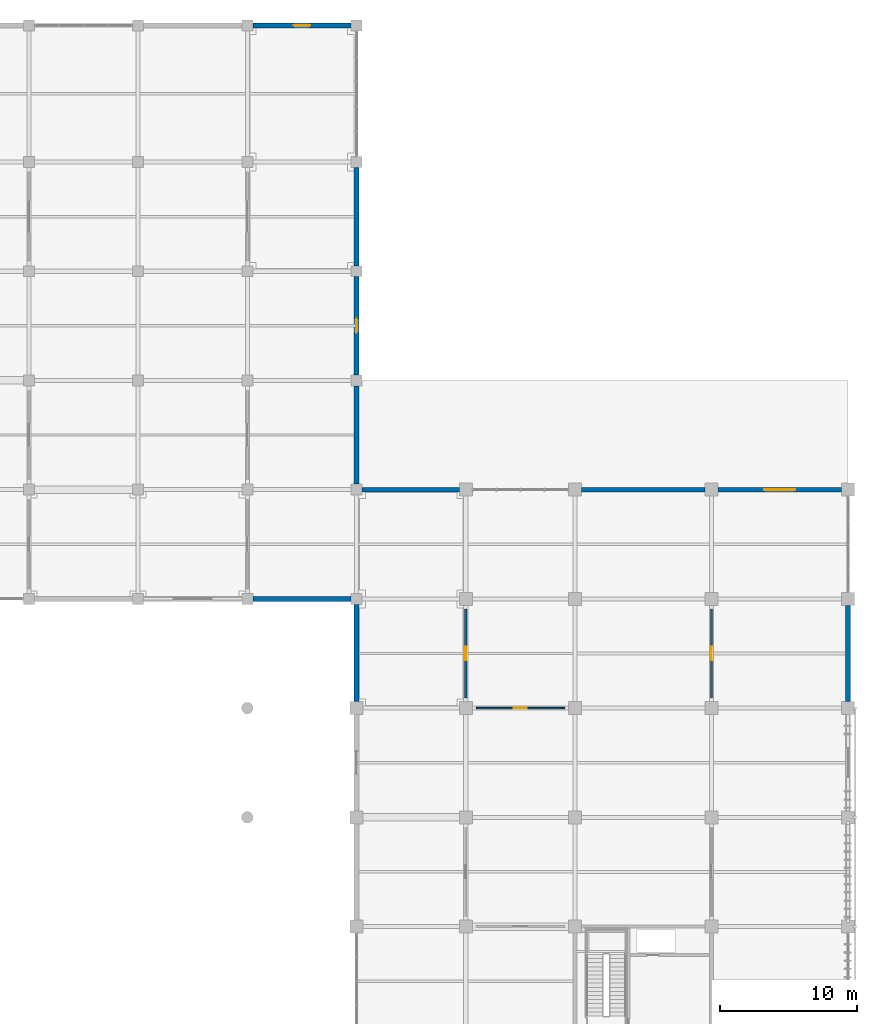
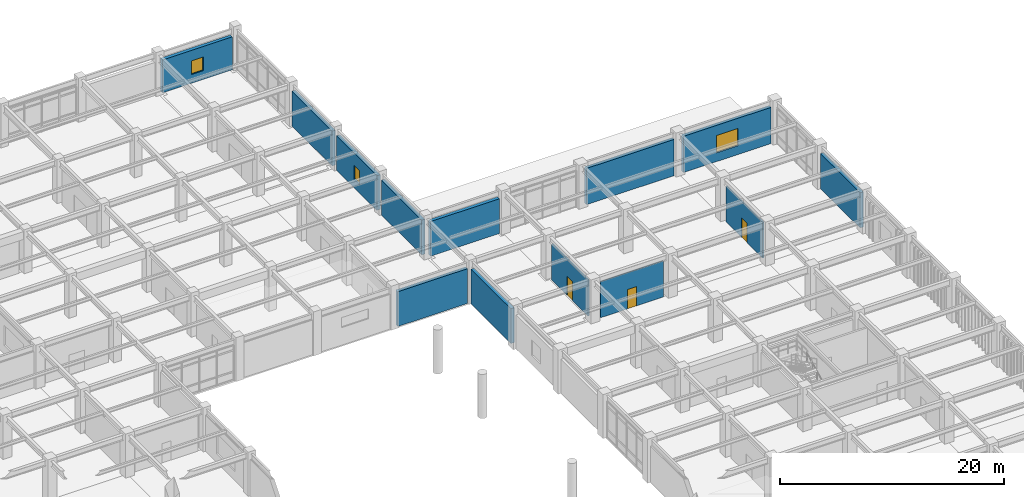
# One storey, part 82 of 109: 13 walls, 3 doors, 3 windows, 6 openings.
"""IFC4 building model written with IfcOpenShell, lengths in metres."""

import ifcopenshell
import ifcopenshell.guid

model = None  # the IFC model being written
_history = None  # IfcOwnerHistory: only IFC2X3 demands one
_inside = {}  # id of a spatial element -> (the spatial element, [elements in it])
_under = {}  # id of a project, library or spatial element -> (it, [spatial elements below it])
_declared = {}  # id of a project -> (the project, [libraries it declares])
_typed = {}  # id of a type object -> (the type object, [elements of that type])
_made_of = {}  # id of a material, layer set ... -> (it, [elements and type objects made of it])


def new_model(schema):
    """Start an empty IFC model of exactly this schema.

    Asked for "IFC4X3", IfcOpenShell would pick the latest addendum, in which some entities
    have other attributes; the version numbers below select the first issue.
    IFC2X3 requires an IfcOwnerHistory on every rooted entity: one is made here for all.
    """
    global model, _history
    if schema == "IFC4X3":
        model = ifcopenshell.file(schema_version=(4, 3, 0, 0))
    else:
        model = ifcopenshell.file(schema=schema)
    _inside.clear()
    _under.clear()
    _declared.clear()
    _typed.clear()
    _made_of.clear()
    _history = None
    if model.schema == "IFC2X3":
        org = make("IfcOrganization", Name="unknown")
        user = make(
            "IfcPersonAndOrganization",
            ThePerson=make("IfcPerson", FamilyName="unknown"),
            TheOrganization=org,
        )
        app = make(
            "IfcApplication",
            ApplicationDeveloper=org,
            Version="unknown",
            ApplicationFullName="unknown",
            ApplicationIdentifier="unknown",
        )
        _history = make(
            "IfcOwnerHistory",
            OwningUser=user,
            OwningApplication=app,
            ChangeAction="ADDED",
            CreationDate=0,
        )
    return model


def make(cls, **values):
    """One entity of the class cls with the attributes given. An attribute that is None is left unset."""
    return model.create_entity(
        cls, **{name: value for name, value in values.items() if value is not None}
    )


def rooted(cls, **values):
    """An entity with a GlobalId (a new one), such as an element, a storey or a relation."""
    return make(cls, GlobalId=ifcopenshell.guid.new(), OwnerHistory=_history, **values)


def si_unit(unit_type, name, prefix=None):
    """IfcSIUnit, for example si_unit("LENGTHUNIT", "METRE", prefix="MILLI")."""
    return make("IfcSIUnit", UnitType=unit_type, Prefix=prefix, Name=name)


def assignment(units):
    """IfcUnitAssignment: the units of a project."""
    return None if units is None else make("IfcUnitAssignment", Units=units)


def point(xyz):
    """IfcCartesianPoint."""
    return None if xyz is None else make("IfcCartesianPoint", Coordinates=xyz)


def direction(xyz):
    """IfcDirection."""
    return None if xyz is None else make("IfcDirection", DirectionRatios=xyz)


def frame(location, z_axis=None, x_axis=None):
    """IfcAxis2Placement3D, a coordinate frame: its origin and axes. An axis left out is left unset."""
    return make(
        "IfcAxis2Placement3D",
        Location=point(location),
        Axis=direction(z_axis),
        RefDirection=direction(x_axis),
    )


def frame_2d(location, x_axis=None):
    """IfcAxis2Placement2D, a coordinate frame in the plane: its origin and x axis."""
    return make(
        "IfcAxis2Placement2D", Location=point(location), RefDirection=direction(x_axis)
    )


def origin():
    """The frame at (0, 0, 0) with its axes left unset."""
    return frame((0.0, 0.0, 0.0))


def place(relative_to, where):
    """IfcLocalPlacement: puts the frame where relative to a parent placement (None: the world)."""
    return make(
        "IfcLocalPlacement", PlacementRelTo=relative_to, RelativePlacement=where
    )


def context(
    kind, dimensions, precision=None, world=None, true_north=None, identifier=None
):
    """IfcGeometricRepresentationContext, for example the 3D "Model" context."""
    return make(
        "IfcGeometricRepresentationContext",
        ContextIdentifier=identifier,
        ContextType=kind,
        CoordinateSpaceDimension=dimensions,
        Precision=precision,
        WorldCoordinateSystem=world,
        TrueNorth=true_north,
    )


def subcontext(parent, identifier, kind, view, scale=None):
    """IfcGeometricRepresentationSubContext, for example "Body" below "Model"."""
    return make(
        "IfcGeometricRepresentationSubContext",
        ContextIdentifier=identifier,
        ContextType=kind,
        ParentContext=parent,
        TargetScale=scale,
        TargetView=view,
    )


def project(units=None, contexts=None):
    """IfcProject with its units and contexts."""
    return rooted(
        "IfcProject",
        Name="project",
        RepresentationContexts=contexts,
        UnitsInContext=assignment(units),
    )


def spatial(cls, under=None, at=None, **own):
    """A site, building, storey or space (cls), placed at a placement, below another one or the project."""
    s = rooted(cls, ObjectPlacement=at, **own)
    if under is not None:
        _under.setdefault(under.id(), (under, []))[1].append(s)
    return s


def profile(cls, at=None, kind="AREA", **sizes):
    """A parametric profile (cls). Its sizes go by their IFC names, for example OverallWidth=200.0."""
    return make(cls, ProfileType=kind, Position=at, **sizes)


def rectangle(**sizes):
    """IfcRectangleProfileDef."""
    return profile("IfcRectangleProfileDef", **sizes)


def extrude(swept, where, along, depth):
    """IfcExtrudedAreaSolid: the profile swept, set in the frame where, extruded along a direction by depth."""
    return make(
        "IfcExtrudedAreaSolid",
        SweptArea=swept,
        Position=where,
        ExtrudedDirection=direction(along),
        Depth=depth,
    )


def shape(context_of_items, identifier, shape_type, items):
    """IfcShapeRepresentation: the items that make up one representation, for example the "Body"."""
    return make(
        "IfcShapeRepresentation",
        ContextOfItems=context_of_items,
        RepresentationIdentifier=identifier,
        RepresentationType=shape_type,
        Items=items,
    )


def material(Name=None, Category=None):
    """IfcMaterial."""
    return make("IfcMaterial", Name=Name, Category=Category)


def layer(
    of_material, thickness, ventilated=None, Name=None, Category=None, Priority=None
):
    """IfcMaterialLayer: one layer of a wall or slab, of a material (None: an air gap)."""
    return make(
        "IfcMaterialLayer",
        Material=of_material,
        LayerThickness=thickness,
        IsVentilated=ventilated,
        Name=Name,
        Category=Category,
        Priority=Priority,
    )


def layer_set(layers, Name=None):
    """IfcMaterialLayerSet."""
    return make("IfcMaterialLayerSet", MaterialLayers=layers, LayerSetName=Name)


def made_of(thing, what):
    """Note that an element or type object is made of a material, layer set ...; save() writes the relation."""
    if what is not None:
        _made_of.setdefault(what.id(), (what, []))[1].append(thing)
    return thing


def type_object(cls, material=None, **own):
    """A type object (cls), such as IfcWallType, which elements share."""
    return made_of(rooted(cls, **own), material)


def element(
    cls,
    number,
    at=None,
    inside=None,
    cuts=None,
    type_object=None,
    material=None,
    context=None,
    identifier="Body",
    shape_type=None,
    held_by="IfcProductDefinitionShape",
    body=None,
    shapes=None,
    **own,
):
    """One element of the class cls, such as IfcWall. Its Tag is "e" and its number.

    at: its placement. inside: the storey or other place that contains it. cuts: it is an
    opening in that element (IfcRelVoidsElement). A single representation is given by context,
    identifier, shape_type and body (its items); several are given by shapes. held_by: the class
    of the entity that holds the representations. save() writes the other relations.
    """
    e = rooted(cls, Tag="e%d" % number, ObjectPlacement=at, **own)
    if body is not None:
        shapes = [shape(context, identifier, shape_type, body)]
    if shapes is not None:
        e.Representation = make(held_by, Representations=shapes)
    if inside is not None:
        _inside.setdefault(inside.id(), (inside, []))[1].append(e)
    if cuts is not None:
        rooted(
            "IfcRelVoidsElement", RelatingBuildingElement=cuts, RelatedOpeningElement=e
        )
    if type_object is not None:
        _typed.setdefault(type_object.id(), (type_object, []))[1].append(e)
    return made_of(e, material)


def fill(opening, filler):
    """IfcRelFillsElement: the door or window that sits in an opening."""
    return rooted(
        "IfcRelFillsElement",
        RelatingOpeningElement=opening,
        RelatedBuildingElement=filler,
    )


def aggregate(whole, parts):
    """IfcRelAggregates: a whole, such as a stair, and the parts it consists of."""
    return rooted("IfcRelAggregates", RelatingObject=whole, RelatedObjects=parts)


def save(model, path):
    """Write the relations noted so far, then the file.

    IfcRelAggregates (storeys below a building ...), IfcRelContainedInSpatialStructure (elements
    in a storey), IfcRelDefinesByType, IfcRelAssociatesMaterial and IfcRelDeclares: one each for
    every whole, place, type object, material and project.
    """
    for whole, parts in _under.values():
        aggregate(whole, parts)
    for where, things in _inside.values():
        rooted(
            "IfcRelContainedInSpatialStructure",
            RelatedElements=things,
            RelatingStructure=where,
        )
    for kind, things in _typed.values():
        rooted("IfcRelDefinesByType", RelatedObjects=things, RelatingType=kind)
    for what, things in _made_of.values():
        rooted("IfcRelAssociatesMaterial", RelatedObjects=things, RelatingMaterial=what)
    for by, libraries in _declared.values():
        rooted("IfcRelDeclares", RelatingContext=by, RelatedDefinitions=libraries)
    model.write(path)


model = new_model("IFC4")

# Units and contexts
model_context = context("Model", 3, precision=1e-05, world=origin(), true_north=direction((0.0, 1.0)))
body_context = subcontext(model_context, "Body", "Model", "MODEL_VIEW")
ifc_project = project(units=[si_unit("LENGTHUNIT", "METRE"), si_unit("AREAUNIT", "SQUARE_METRE"), si_unit("VOLUMEUNIT", "CUBIC_METRE"), si_unit("PLANEANGLEUNIT", "RADIAN"), si_unit("MASSUNIT", "GRAM", prefix="KILO")], contexts=[model_context])

# Site, building, storey
site_placement = place(None, origin())
site = spatial("IfcSite", under=ifc_project, at=site_placement, CompositionType="ELEMENT")
building_placement = place(site_placement, origin())
building = spatial("IfcBuilding", under=site, at=building_placement, Name="Haebicheon Civic Stadium", CompositionType="ELEMENT")
storey_placement = place(building_placement, frame((0.0, 0.0, 9.60009765625)))
storey = spatial("IfcBuildingStorey", under=building, at=storey_placement, Name="L03", CompositionType="ELEMENT", Elevation=9.60009765625)

# Walls
ifc_material_1 = material(Name="Concrete C40/50", Category="concrete")
ifc_layer_1 = layer(ifc_material_1, 0.35009765625, Name="Concrete C40/50")
ifc_layer_set_1 = layer_set([ifc_layer_1], Name="Concrete C40/50")
wall_type_1 = type_object("IfcWallType", Name="EW-BM-350", PredefinedType="SOLIDWALL", material=ifc_layer_set_1)
for number, where, z_axis, x_axis, name in (
    (1, (192.39990234375, 136.0, 0.0), (0.0, 0.0, 1.0), (1.0, 0.0, 0.0), "L03 board-marked concrete facade wall 24-17-S"),
    (2, (200.0, 144.39990234375, 0.0), (0.0, 0.0, 1.0), (0.0, 1.0, 0.0), "L03 board-marked concrete facade wall 25-18-E"),
):
    element("IfcWall", number, at=place(storey_placement, frame(where, z_axis=z_axis, x_axis=x_axis)), inside=storey, type_object=wall_type_1, material=ifc_layer_set_1, Name=name, PredefinedType="SOLIDWALL", context=body_context, shape_type="SweptSolid", body=[
        extrude(rectangle(XDim=7.2001953125, YDim=0.35009765625, at=frame_2d((3.60009765625, 0.0))), origin(), (0.0, 0.0, 1.0), 3.789794921875),
    ])

# Wall, opening, window
wall_1_placement = place(storey_placement, frame((200.0, 152.39990234375, 0.0), z_axis=(0.0, 0.0, 1.0), x_axis=(0.0, 1.0, 0.0)))
wall_1 = element("IfcWall", 3, at=wall_1_placement, inside=storey, type_object=wall_type_1, material=ifc_layer_set_1, Name="L03 board-marked concrete facade wall 25-19-E", PredefinedType="SOLIDWALL", context=body_context, shape_type="SweptSolid", body=[
    extrude(rectangle(XDim=7.2001953125, YDim=0.35009765625, at=frame_2d((3.60009765625, 0.0))), origin(), (0.0, 0.0, 1.0), 3.789794921875),
])
opening_1_placement = place(wall_1_placement, frame((3.074951171875, 0.0, 0.949951171875)))
opening_1 = element("IfcOpeningElement", 4, at=opening_1_placement, cuts=wall_1, Name="Opening WIN-105x150", PredefinedType="OPENING", context=body_context, shape_type="SweptSolid", body=[
    extrude(rectangle(XDim=1.050048828125, YDim=1.5, at=frame_2d((0.52490234375, 0.75))), frame((0.0, 0.18505859375, 0.0), z_axis=(0.0, -1.0, 0.0), x_axis=(1.0, 0.0, 0.0)), (0.0, 0.0, 1.0), 0.3701171875),
])
ifc_material_2 = material(Name="Anodised aluminium and laminated glass", Category="aluminium")
window_type_1 = type_object("IfcWindowType", Name="WIN-105x150", PartitioningType="SINGLE_PANEL", PredefinedType="WINDOW", material=ifc_material_2)
window_1_placement = place(opening_1_placement, origin())
window_1 = element("IfcWindow", 5, at=window_1_placement, inside=storey, type_object=window_type_1, material=ifc_material_2, Name="L03 facade window 090", OverallHeight=1.5, OverallWidth=1.050048828125, PartitioningType="SINGLE_PANEL", PredefinedType="WINDOW", context=body_context, shape_type="SweptSolid", body=[
    extrude(rectangle(XDim=1.050048828125, YDim=1.5, at=frame_2d((0.52490234375, 0.75))), frame((0.0, 0.030029296875, 0.0), z_axis=(0.0, -1.0, 0.0), x_axis=(1.0, 0.0, 0.0)), (0.0, 0.0, 1.0), 0.06005859375),
])
fill(opening_1, window_1)

# Wall
wall_2_placement = place(storey_placement, frame((200.0, 160.39990234375, 0.0), z_axis=(0.0, 0.0, 1.0), x_axis=(0.0, 1.0, 0.0)))
element("IfcWall", 6, at=wall_2_placement, inside=storey, type_object=wall_type_1, material=ifc_layer_set_1, Name="L03 board-marked concrete facade wall 25-20-E", PredefinedType="SOLIDWALL", context=body_context, shape_type="SweptSolid", body=[
    extrude(rectangle(XDim=7.2001953125, YDim=0.35009765625, at=frame_2d((3.60009765625, 0.0))), origin(), (0.0, 0.0, 1.0), 3.789794921875),
])

# Wall, opening, window
wall_3_placement = place(storey_placement, frame((192.39990234375, 178.0, 0.0), z_axis=(0.0, 0.0, 1.0), x_axis=(1.0, 0.0, 0.0)))
wall_3 = element("IfcWall", 7, at=wall_3_placement, inside=storey, type_object=wall_type_1, material=ifc_layer_set_1, Name="L03 board-marked concrete facade wall 24-22-N", PredefinedType="SOLIDWALL", context=body_context, shape_type="SweptSolid", body=[
    extrude(rectangle(XDim=7.2001953125, YDim=0.35009765625, at=frame_2d((3.60009765625, 0.0))), origin(), (0.0, 0.0, 1.0), 3.58984375),
])
opening_2_placement = place(wall_3_placement, frame((3.0, 0.0, 0.949951171875)))
opening_2 = element("IfcOpeningElement", 8, at=opening_2_placement, cuts=wall_3, Name="Opening WIN-120x150", PredefinedType="OPENING", context=body_context, shape_type="SweptSolid", body=[
    extrude(rectangle(XDim=1.199951171875, YDim=1.5, at=frame_2d((0.60009765625, 0.75))), frame((0.0, 0.18505859375, 0.0), z_axis=(0.0, -1.0, 0.0), x_axis=(1.0, 0.0, 0.0)), (0.0, 0.0, 1.0), 0.3701171875),
])
ifc_material_3 = material(Name="Anodised aluminium and laminated glass", Category="aluminium")
window_type_2 = type_object("IfcWindowType", Name="WIN-120x150", PartitioningType="SINGLE_PANEL", PredefinedType="WINDOW", material=ifc_material_3)
window_2_placement = place(opening_2_placement, origin())
window_2 = element("IfcWindow", 9, at=window_2_placement, inside=storey, type_object=window_type_2, material=ifc_material_3, Name="L03 facade window 091", OverallHeight=1.5, OverallWidth=1.199951171875, PartitioningType="SINGLE_PANEL", PredefinedType="WINDOW", context=body_context, shape_type="SweptSolid", body=[
    extrude(rectangle(XDim=1.199951171875, YDim=1.5, at=frame_2d((0.60009765625, 0.75))), frame((0.0, 0.030029296875, 0.0), z_axis=(0.0, -1.0, 0.0), x_axis=(1.0, 0.0, 0.0)), (0.0, 0.0, 1.0), 0.06005859375),
])
fill(opening_2, window_2)

# Walls
for number, where, z_axis, x_axis, name in (
    (10, (200.0, 128.47509765625, 0.0), (0.0, 0.0, 1.0), (0.0, 1.0, 0.0), "L03 board-marked concrete facade wall 25-16-W"),
    (11, (200.39990234375, 144.0, 0.0), (0.0, 0.0, 1.0), (1.0, 0.0, 0.0), "L03 board-marked concrete facade wall 25-18-N"),
):
    element("IfcWall", number, at=place(storey_placement, frame(where, z_axis=z_axis, x_axis=x_axis)), inside=storey, type_object=wall_type_1, material=ifc_layer_set_1, Name=name, PredefinedType="SOLIDWALL", context=body_context, shape_type="SweptSolid", body=[
        extrude(rectangle(XDim=7.125, YDim=0.35009765625, at=frame_2d((3.5625, 0.0))), origin(), (0.0, 0.0, 1.0), 3.789794921875),
    ])
wall_4_placement = place(storey_placement, frame((216.47509765625, 144.0, 0.0), z_axis=(0.0, 0.0, 1.0), x_axis=(1.0, 0.0, 0.0)))
element("IfcWall", 12, at=wall_4_placement, inside=storey, type_object=wall_type_1, material=ifc_layer_set_1, Name="L03 board-marked concrete facade wall 27-18-N", PredefinedType="SOLIDWALL", context=body_context, shape_type="SweptSolid", body=[
    extrude(rectangle(XDim=9.0498046875, YDim=0.35009765625, at=frame_2d((4.52490234375, 0.0))), origin(), (0.0, 0.0, 1.0), 3.949951171875),
])
wall_5_placement = place(storey_placement, frame((236.0, 128.47509765625, 0.0), z_axis=(0.0, 0.0, 1.0), x_axis=(0.0, 1.0, 0.0)))
element("IfcWall", 13, at=wall_5_placement, inside=storey, type_object=wall_type_1, material=ifc_layer_set_1, Name="L03 board-marked concrete facade wall 29-16-E", PredefinedType="SOLIDWALL", context=body_context, shape_type="SweptSolid", body=[
    extrude(rectangle(XDim=7.0498046875, YDim=0.35009765625, at=frame_2d((3.52490234375, 0.0))), origin(), (0.0, 0.0, 1.0), 3.829833984375),
])

# Wall, opening, window
wall_6_placement = place(storey_placement, frame((226.47509765625, 144.0, 0.0), z_axis=(0.0, 0.0, 1.0), x_axis=(1.0, 0.0, 0.0)))
wall_6 = element("IfcWall", 14, at=wall_6_placement, inside=storey, type_object=wall_type_1, material=ifc_layer_set_1, Name="L03 board-marked concrete facade wall 28-18-N", PredefinedType="SOLIDWALL", context=body_context, shape_type="SweptSolid", body=[
    extrude(rectangle(XDim=9.0498046875, YDim=0.35009765625, at=frame_2d((4.52490234375, 0.0))), origin(), (0.0, 0.0, 1.0), 3.949951171875),
])
opening_3_placement = place(wall_6_placement, frame((3.39990234375, 0.0, 0.949951171875)))
opening_3 = element("IfcOpeningElement", 15, at=opening_3_placement, cuts=wall_6, Name="Opening WIN-225x190", PredefinedType="OPENING", context=body_context, shape_type="SweptSolid", body=[
    extrude(rectangle(XDim=2.25, YDim=1.89990234375, at=frame_2d((1.125, 0.949951171875))), frame((0.0, 0.18505859375, 0.0), z_axis=(0.0, -1.0, 0.0), x_axis=(1.0, 0.0, 0.0)), (0.0, 0.0, 1.0), 0.3701171875),
])
ifc_material_4 = material(Name="Anodised aluminium and laminated glass", Category="aluminium")
window_type_3 = type_object("IfcWindowType", Name="WIN-225x190", PartitioningType="SINGLE_PANEL", PredefinedType="WINDOW", material=ifc_material_4)
window_3_placement = place(opening_3_placement, origin())
window_3 = element("IfcWindow", 16, at=window_3_placement, inside=storey, type_object=window_type_3, material=ifc_material_4, Name="L03 facade window 098", OverallHeight=1.89990234375, OverallWidth=2.25, PartitioningType="SINGLE_PANEL", PredefinedType="WINDOW", context=body_context, shape_type="SweptSolid", body=[
    extrude(rectangle(XDim=2.25, YDim=1.89990234375, at=frame_2d((1.125, 0.949951171875))), frame((0.0, 0.030029296875, 0.0), z_axis=(0.0, -1.0, 0.0), x_axis=(1.0, 0.0, 0.0)), (0.0, 0.0, 1.0), 0.06005859375),
])
fill(opening_3, window_3)

# Wall, opening, door
ifc_material_5 = material(Name="Anodised aluminium and laminated glass", Category="aluminium")
ifc_layer_2 = layer(ifc_material_5, 0.10009765625, Name="Anodised aluminium and laminated glass")
ifc_layer_set_2 = layer_set([ifc_layer_2], Name="Anodised aluminium and laminated glass")
wall_type_2 = type_object("IfcWallType", Name="IW-PRT-100", PredefinedType="PARTITIONING", material=ifc_layer_set_2)
wall_7_placement = place(storey_placement, frame((208.75, 128.0, 0.0), z_axis=(0.0, 0.0, 1.0), x_axis=(1.0, 0.0, 0.0)))
wall_7 = element("IfcWall", 17, at=wall_7_placement, inside=storey, type_object=wall_type_2, material=ifc_layer_set_2, Name="L03 Youth Sports Classroom partition wall", PredefinedType="PARTITIONING", context=body_context, shape_type="SweptSolid", body=[
    extrude(rectangle(XDim=6.5, YDim=0.10009765625, at=frame_2d((3.25, 0.0))), origin(), (0.0, 0.0, 1.0), 3.929931640625),
])
opening_4_placement = place(wall_7_placement, frame((2.77490234375, 0.0, 0.0)))
opening_4 = element("IfcOpeningElement", 18, at=opening_4_placement, cuts=wall_7, Name="Opening D-L03-307", PredefinedType="OPENING", context=body_context, shape_type="SweptSolid", body=[
    extrude(rectangle(XDim=0.949951171875, YDim=2.10009765625, at=frame_2d((0.47509765625, 1.050048828125))), frame((0.0, 0.06005859375, 0.0), z_axis=(0.0, -1.0, 0.0), x_axis=(1.0, 0.0, 0.0)), (0.0, 0.0, 1.0), 0.1201171875),
])
ifc_material_6 = material(Name="Engineered hardwood timber", Category="wood")
door_type_1 = type_object("IfcDoorType", Name="ID-RM-0950", OperationType="NOTDEFINED", PredefinedType="DOOR", material=ifc_material_6)
door_1_placement = place(opening_4_placement, origin())
door_1 = element("IfcDoor", 19, at=door_1_placement, inside=storey, type_object=door_type_1, material=ifc_material_6, Name="L03 Youth Sports Classroom entrance door D-L03-307", OperationType="SINGLE_SWING_LEFT", OverallHeight=2.10009765625, OverallWidth=0.949951171875, PredefinedType="DOOR", context=body_context, shape_type="SweptSolid", body=[
    extrude(rectangle(XDim=0.949951171875, YDim=2.10009765625, at=frame_2d((0.47509765625, 1.050048828125))), frame((0.0, 0.02490234375, 0.0), z_axis=(0.0, -1.0, 0.0), x_axis=(1.0, 0.0, 0.0)), (0.0, 0.0, 1.0), 0.050048828125),
])
fill(opening_4, door_1)

ifc_material_7 = material(Name="Gypsum plasterboard on steel studs", Category="gypsum")
ifc_layer_3 = layer(ifc_material_7, 0.1201171875, Name="Gypsum plasterboard on steel studs")
ifc_layer_set_3 = layer_set([ifc_layer_3], Name="Gypsum plasterboard on steel studs")
wall_type_3 = type_object("IfcWallType", Name="IW-PRT-120", PredefinedType="PARTITIONING", material=ifc_layer_set_3)
wall_8_placement = place(storey_placement, frame((226.0, 128.75, 0.0), z_axis=(0.0, 0.0, 1.0), x_axis=(0.0, 1.0, 0.0)))
wall_8 = element("IfcWall", 20, at=wall_8_placement, inside=storey, type_object=wall_type_3, material=ifc_layer_set_3, Name="L03 Sports Science Teaching Lab partition wall", PredefinedType="PARTITIONING", context=body_context, shape_type="SweptSolid", body=[
    extrude(rectangle(XDim=6.5, YDim=0.1201171875, at=frame_2d((3.25, 0.0))), origin(), (0.0, 0.0, 1.0), 3.929931640625),
])
opening_5_placement = place(wall_8_placement, frame((2.75, 0.0, 0.0)))
opening_5 = element("IfcOpeningElement", 21, at=opening_5_placement, cuts=wall_8, Name="Opening D-L03-314", PredefinedType="OPENING", context=body_context, shape_type="SweptSolid", body=[
    extrude(rectangle(XDim=1.0, YDim=2.10009765625, at=frame_2d((0.5, 1.050048828125))), frame((0.0, 0.070068359375, 0.0), z_axis=(0.0, -1.0, 0.0), x_axis=(1.0, 0.0, 0.0)), (0.0, 0.0, 1.0), 0.14013671875),
])
ifc_material_8 = material(Name="Engineered hardwood timber", Category="wood")
door_type_2 = type_object("IfcDoorType", Name="ID-RM-1000", OperationType="NOTDEFINED", PredefinedType="DOOR", material=ifc_material_8)
door_2_placement = place(opening_5_placement, origin())
door_2 = element("IfcDoor", 22, at=door_2_placement, inside=storey, type_object=door_type_2, material=ifc_material_8, Name="L03 Sports Science Teaching Lab entrance door D-L03-314", OperationType="SINGLE_SWING_RIGHT", OverallHeight=2.10009765625, OverallWidth=1.0, PredefinedType="DOOR", context=body_context, shape_type="SweptSolid", body=[
    extrude(rectangle(XDim=1.0, YDim=2.10009765625, at=frame_2d((0.5, 1.050048828125))), frame((0.0, 0.02490234375, 0.0), z_axis=(0.0, -1.0, 0.0), x_axis=(1.0, 0.0, 0.0)), (0.0, 0.0, 1.0), 0.050048828125),
])
fill(opening_5, door_2)

ifc_material_9 = material(Name="Concrete C35/45", Category="concrete")
ifc_layer_4 = layer(ifc_material_9, 0.159912109375, Name="Concrete C35/45")
ifc_layer_set_4 = layer_set([ifc_layer_4], Name="Concrete C35/45")
wall_type_4 = type_object("IfcWallType", Name="IW-PRT-160", PredefinedType="PARTITIONING", material=ifc_layer_set_4)
wall_9_placement = place(storey_placement, frame((208.0, 128.75, 0.0), z_axis=(0.0, 0.0, 1.0), x_axis=(0.0, 1.0, 0.0)))
wall_9 = element("IfcWall", 23, at=wall_9_placement, inside=storey, type_object=wall_type_4, material=ifc_layer_set_4, Name="L03 Sports Medicine Rehabilitation Clinic partition wall", PredefinedType="PARTITIONING", context=body_context, shape_type="SweptSolid", body=[
    extrude(rectangle(XDim=6.5, YDim=0.159912109375, at=frame_2d((3.25, 0.0))), origin(), (0.0, 0.0, 1.0), 3.929931640625),
])
opening_6_placement = place(wall_9_placement, frame((2.75, 0.0, 0.0)))
opening_6 = element("IfcOpeningElement", 24, at=opening_6_placement, cuts=wall_9, Name="Opening D-L03-300", PredefinedType="OPENING", context=body_context, shape_type="SweptSolid", body=[
    extrude(rectangle(XDim=1.0, YDim=2.10009765625, at=frame_2d((0.5, 1.050048828125))), frame((0.0, 0.08984375, 0.0), z_axis=(0.0, -1.0, 0.0), x_axis=(1.0, 0.0, 0.0)), (0.0, 0.0, 1.0), 0.179931640625),
])
door_3_placement = place(opening_6_placement, origin())
door_3 = element("IfcDoor", 25, at=door_3_placement, inside=storey, type_object=door_type_2, material=ifc_material_8, Name="L03 Sports Medicine Rehabilitation Clinic entrance door D-L03-300", OperationType="SINGLE_SWING_RIGHT", OverallHeight=2.10009765625, OverallWidth=1.0, PredefinedType="DOOR", context=body_context, shape_type="SweptSolid", body=[
    extrude(rectangle(XDim=1.0, YDim=2.10009765625, at=frame_2d((0.5, 1.050048828125))), frame((0.0, 0.02490234375, 0.0), z_axis=(0.0, -1.0, 0.0), x_axis=(1.0, 0.0, 0.0)), (0.0, 0.0, 1.0), 0.050048828125),
])
fill(opening_6, door_3)

save(model, "model.ifc")
